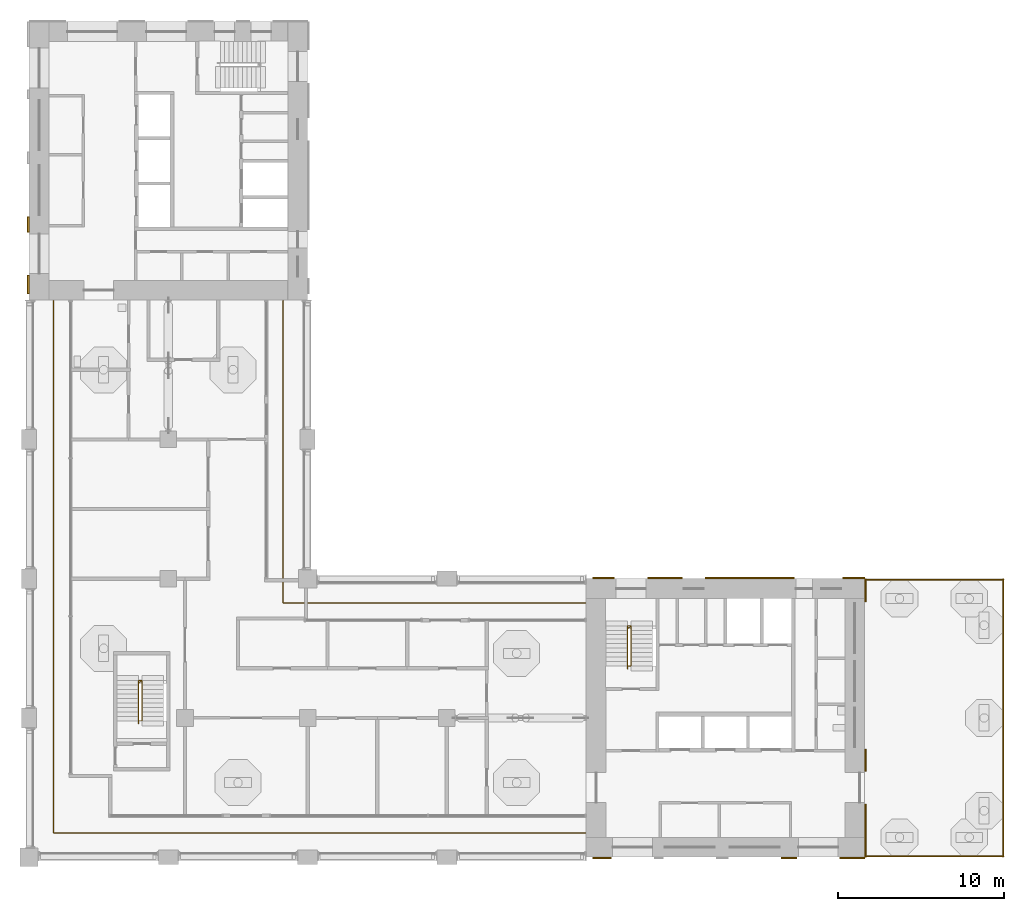
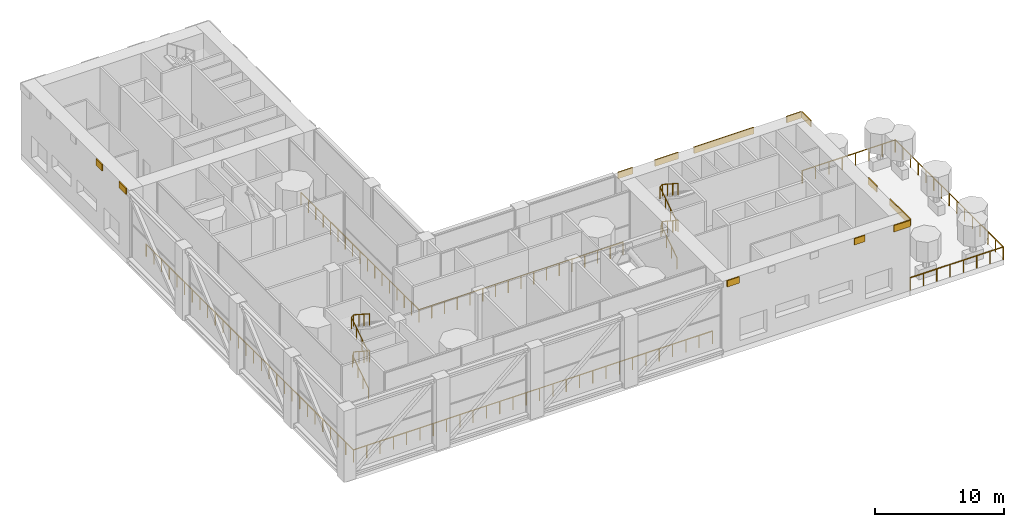
# One storey, part 16 of 20: 12 shading devices, 7 railings.
"""IFC4 building model written with IfcOpenShell, lengths in metres."""

import ifcopenshell
import ifcopenshell.guid

model = None  # the IFC model being written
_history = None  # IfcOwnerHistory: only IFC2X3 demands one
_inside = {}  # id of a spatial element -> (the spatial element, [elements in it])
_under = {}  # id of a project, library or spatial element -> (it, [spatial elements below it])
_declared = {}  # id of a project -> (the project, [libraries it declares])
_typed = {}  # id of a type object -> (the type object, [elements of that type])
_made_of = {}  # id of a material, layer set ... -> (it, [elements and type objects made of it])


def new_model(schema):
    """Start an empty IFC model of exactly this schema.

    Asked for "IFC4X3", IfcOpenShell would pick the latest addendum, in which some entities
    have other attributes; the version numbers below select the first issue.
    IFC2X3 requires an IfcOwnerHistory on every rooted entity: one is made here for all.
    """
    global model, _history
    if schema == "IFC4X3":
        model = ifcopenshell.file(schema_version=(4, 3, 0, 0))
    else:
        model = ifcopenshell.file(schema=schema)
    _inside.clear()
    _under.clear()
    _declared.clear()
    _typed.clear()
    _made_of.clear()
    _history = None
    if model.schema == "IFC2X3":
        org = make("IfcOrganization", Name="unknown")
        user = make(
            "IfcPersonAndOrganization",
            ThePerson=make("IfcPerson", FamilyName="unknown"),
            TheOrganization=org,
        )
        app = make(
            "IfcApplication",
            ApplicationDeveloper=org,
            Version="unknown",
            ApplicationFullName="unknown",
            ApplicationIdentifier="unknown",
        )
        _history = make(
            "IfcOwnerHistory",
            OwningUser=user,
            OwningApplication=app,
            ChangeAction="ADDED",
            CreationDate=0,
        )
    return model


def make(cls, **values):
    """One entity of the class cls with the attributes given. An attribute that is None is left unset."""
    return model.create_entity(
        cls, **{name: value for name, value in values.items() if value is not None}
    )


def rooted(cls, **values):
    """An entity with a GlobalId (a new one), such as an element, a storey or a relation."""
    return make(cls, GlobalId=ifcopenshell.guid.new(), OwnerHistory=_history, **values)


def si_unit(unit_type, name, prefix=None):
    """IfcSIUnit, for example si_unit("LENGTHUNIT", "METRE", prefix="MILLI")."""
    return make("IfcSIUnit", UnitType=unit_type, Prefix=prefix, Name=name)


def assignment(units):
    """IfcUnitAssignment: the units of a project."""
    return None if units is None else make("IfcUnitAssignment", Units=units)


def point(xyz):
    """IfcCartesianPoint."""
    return None if xyz is None else make("IfcCartesianPoint", Coordinates=xyz)


def direction(xyz):
    """IfcDirection."""
    return None if xyz is None else make("IfcDirection", DirectionRatios=xyz)


def frame(location, z_axis=None, x_axis=None):
    """IfcAxis2Placement3D, a coordinate frame: its origin and axes. An axis left out is left unset."""
    return make(
        "IfcAxis2Placement3D",
        Location=point(location),
        Axis=direction(z_axis),
        RefDirection=direction(x_axis),
    )


def frame_2d(location, x_axis=None):
    """IfcAxis2Placement2D, a coordinate frame in the plane: its origin and x axis."""
    return make(
        "IfcAxis2Placement2D", Location=point(location), RefDirection=direction(x_axis)
    )


def origin():
    """The frame at (0, 0, 0) with its axes left unset."""
    return frame((0.0, 0.0, 0.0))


def origin_2d():
    """The frame at (0, 0) in the plane with its x axis left unset."""
    return frame_2d((0.0, 0.0))


def place(relative_to, where):
    """IfcLocalPlacement: puts the frame where relative to a parent placement (None: the world)."""
    return make(
        "IfcLocalPlacement", PlacementRelTo=relative_to, RelativePlacement=where
    )


def context(
    kind, dimensions, precision=None, world=None, true_north=None, identifier=None
):
    """IfcGeometricRepresentationContext, for example the 3D "Model" context."""
    return make(
        "IfcGeometricRepresentationContext",
        ContextIdentifier=identifier,
        ContextType=kind,
        CoordinateSpaceDimension=dimensions,
        Precision=precision,
        WorldCoordinateSystem=world,
        TrueNorth=true_north,
    )


def subcontext(parent, identifier, kind, view, scale=None):
    """IfcGeometricRepresentationSubContext, for example "Body" below "Model"."""
    return make(
        "IfcGeometricRepresentationSubContext",
        ContextIdentifier=identifier,
        ContextType=kind,
        ParentContext=parent,
        TargetScale=scale,
        TargetView=view,
    )


def project(units=None, contexts=None):
    """IfcProject with its units and contexts."""
    return rooted(
        "IfcProject",
        Name="project",
        RepresentationContexts=contexts,
        UnitsInContext=assignment(units),
    )


def spatial(cls, under=None, at=None, **own):
    """A site, building, storey or space (cls), placed at a placement, below another one or the project."""
    s = rooted(cls, ObjectPlacement=at, **own)
    if under is not None:
        _under.setdefault(under.id(), (under, []))[1].append(s)
    return s


def profile(cls, at=None, kind="AREA", **sizes):
    """A parametric profile (cls). Its sizes go by their IFC names, for example OverallWidth=200.0."""
    return make(cls, ProfileType=kind, Position=at, **sizes)


def rectangle(**sizes):
    """IfcRectangleProfileDef."""
    return profile("IfcRectangleProfileDef", **sizes)


def circle(**sizes):
    """IfcCircleProfileDef."""
    return profile("IfcCircleProfileDef", **sizes)


def extrude(swept, where, along, depth):
    """IfcExtrudedAreaSolid: the profile swept, set in the frame where, extruded along a direction by depth."""
    return make(
        "IfcExtrudedAreaSolid",
        SweptArea=swept,
        Position=where,
        ExtrudedDirection=direction(along),
        Depth=depth,
    )


def shape(context_of_items, identifier, shape_type, items):
    """IfcShapeRepresentation: the items that make up one representation, for example the "Body"."""
    return make(
        "IfcShapeRepresentation",
        ContextOfItems=context_of_items,
        RepresentationIdentifier=identifier,
        RepresentationType=shape_type,
        Items=items,
    )


def material(Name=None, Category=None):
    """IfcMaterial."""
    return make("IfcMaterial", Name=Name, Category=Category)


def layer(
    of_material, thickness, ventilated=None, Name=None, Category=None, Priority=None
):
    """IfcMaterialLayer: one layer of a wall or slab, of a material (None: an air gap)."""
    return make(
        "IfcMaterialLayer",
        Material=of_material,
        LayerThickness=thickness,
        IsVentilated=ventilated,
        Name=Name,
        Category=Category,
        Priority=Priority,
    )


def layer_set(layers, Name=None):
    """IfcMaterialLayerSet."""
    return make("IfcMaterialLayerSet", MaterialLayers=layers, LayerSetName=Name)


def made_of(thing, what):
    """Note that an element or type object is made of a material, layer set ...; save() writes the relation."""
    if what is not None:
        _made_of.setdefault(what.id(), (what, []))[1].append(thing)
    return thing


def type_object(cls, material=None, **own):
    """A type object (cls), such as IfcWallType, which elements share."""
    return made_of(rooted(cls, **own), material)


def element(
    cls,
    number,
    at=None,
    inside=None,
    cuts=None,
    type_object=None,
    material=None,
    context=None,
    identifier="Body",
    shape_type=None,
    held_by="IfcProductDefinitionShape",
    body=None,
    shapes=None,
    **own,
):
    """One element of the class cls, such as IfcWall. Its Tag is "e" and its number.

    at: its placement. inside: the storey or other place that contains it. cuts: it is an
    opening in that element (IfcRelVoidsElement). A single representation is given by context,
    identifier, shape_type and body (its items); several are given by shapes. held_by: the class
    of the entity that holds the representations. save() writes the other relations.
    """
    e = rooted(cls, Tag="e%d" % number, ObjectPlacement=at, **own)
    if body is not None:
        shapes = [shape(context, identifier, shape_type, body)]
    if shapes is not None:
        e.Representation = make(held_by, Representations=shapes)
    if inside is not None:
        _inside.setdefault(inside.id(), (inside, []))[1].append(e)
    if cuts is not None:
        rooted(
            "IfcRelVoidsElement", RelatingBuildingElement=cuts, RelatedOpeningElement=e
        )
    if type_object is not None:
        _typed.setdefault(type_object.id(), (type_object, []))[1].append(e)
    return made_of(e, material)


def aggregate(whole, parts):
    """IfcRelAggregates: a whole, such as a stair, and the parts it consists of."""
    return rooted("IfcRelAggregates", RelatingObject=whole, RelatedObjects=parts)


def save(model, path):
    """Write the relations noted so far, then the file.

    IfcRelAggregates (storeys below a building ...), IfcRelContainedInSpatialStructure (elements
    in a storey), IfcRelDefinesByType, IfcRelAssociatesMaterial and IfcRelDeclares: one each for
    every whole, place, type object, material and project.
    """
    for whole, parts in _under.values():
        aggregate(whole, parts)
    for where, things in _inside.values():
        rooted(
            "IfcRelContainedInSpatialStructure",
            RelatedElements=things,
            RelatingStructure=where,
        )
    for kind, things in _typed.values():
        rooted("IfcRelDefinesByType", RelatedObjects=things, RelatingType=kind)
    for what, things in _made_of.values():
        rooted("IfcRelAssociatesMaterial", RelatedObjects=things, RelatingMaterial=what)
    for by, libraries in _declared.values():
        rooted("IfcRelDeclares", RelatingContext=by, RelatedDefinitions=libraries)
    model.write(path)


model = new_model("IFC4")

# Units and contexts
model_context = context("Model", 3, precision=1e-05, world=origin(), true_north=direction((0.0, 1.0)))
body_context = subcontext(model_context, "Body", "Model", "MODEL_VIEW")
ifc_project = project(units=[si_unit("LENGTHUNIT", "METRE"), si_unit("AREAUNIT", "SQUARE_METRE"), si_unit("VOLUMEUNIT", "CUBIC_METRE"), si_unit("PLANEANGLEUNIT", "RADIAN"), si_unit("MASSUNIT", "GRAM", prefix="KILO")], contexts=[model_context])

# Site, building, storey
site_placement = place(None, origin())
site = spatial("IfcSite", under=ifc_project, at=site_placement, CompositionType="ELEMENT")
building_placement = place(site_placement, origin())
building = spatial("IfcBuilding", under=site, at=building_placement, Name="Vermilion Gate Residences", CompositionType="ELEMENT")
storey_placement = place(building_placement, frame((0.0, 0.0, 207.199951171875)))
storey = spatial("IfcBuildingStorey", under=building, at=storey_placement, Name="L54", CompositionType="ELEMENT", Elevation=207.199951171875)

# Railings
ifc_material_1 = material(Name="Stainless steel and toughened glass", Category="steel")
railing_type_1 = type_object("IfcRailingType", Name="LOGGIA GUARD STEEL AND GLASS 1200", PredefinedType="GUARDRAIL", material=ifc_material_1)
railing_1_placement = place(storey_placement, frame((41.97802734375, 23.72509765625, 0.0)))
element("IfcRailing", 1, at=railing_1_placement, inside=storey, type_object=railing_type_1, Name="Loggia guard", PredefinedType="GUARDRAIL", context=body_context, shape_type="SweptSolid", body=[
    extrude(circle(Radius=0.030029296875, at=origin_2d()), frame((0.0, 0.0, 1.169921875), z_axis=(-1.0, 0.0, 0.0), x_axis=(0.0, -1.0, 0.0)), (0.0, 0.0, 1.0), 18.2529296875),
    extrude(circle(Radius=0.030029296875, at=origin_2d()), frame((-18.2529296875, 0.0, 1.169921875), z_axis=(0.0, 1.0, 0.0), x_axis=(-1.0, 0.0, 0.0)), (0.0, 0.0, 1.0), 18.2529296875),
    extrude(circle(Radius=0.02490234375, at=origin_2d()), origin(), (0.0, 0.0, 1.0), 1.139892578125),
    extrude(circle(Radius=0.02490234375, at=origin_2d()), frame((-1.140869140625, 0.0, 0.0)), (0.0, 0.0, 1.0), 1.139892578125),
    extrude(circle(Radius=0.02490234375, at=origin_2d()), frame((-2.28173828125, 0.0, 0.0)), (0.0, 0.0, 1.0), 1.139892578125),
    extrude(circle(Radius=0.02490234375, at=origin_2d()), frame((-3.42236328125, 0.0, 0.0)), (0.0, 0.0, 1.0), 1.139892578125),
    extrude(circle(Radius=0.02490234375, at=origin_2d()), frame((-4.563232421875, 0.0, 0.0)), (0.0, 0.0, 1.0), 1.139892578125),
    extrude(circle(Radius=0.02490234375, at=origin_2d()), frame((-5.7041015625, 0.0, 0.0)), (0.0, 0.0, 1.0), 1.139892578125),
    extrude(circle(Radius=0.02490234375, at=origin_2d()), frame((-6.8447265625, 0.0, 0.0)), (0.0, 0.0, 1.0), 1.139892578125),
    extrude(circle(Radius=0.02490234375, at=origin_2d()), frame((-7.985595703125, 0.0, 0.0)), (0.0, 0.0, 1.0), 1.139892578125),
    extrude(circle(Radius=0.02490234375, at=origin_2d()), frame((-9.12646484375, 0.0, 0.0)), (0.0, 0.0, 1.0), 1.139892578125),
    extrude(circle(Radius=0.02490234375, at=origin_2d()), frame((-10.267333984375, 0.0, 0.0)), (0.0, 0.0, 1.0), 1.139892578125),
    extrude(circle(Radius=0.02490234375, at=origin_2d()), frame((-11.408203125, 0.0, 0.0)), (0.0, 0.0, 1.0), 1.139892578125),
    extrude(circle(Radius=0.02490234375, at=origin_2d()), frame((-12.548828125, 0.0, 0.0)), (0.0, 0.0, 1.0), 1.139892578125),
    extrude(circle(Radius=0.02490234375, at=origin_2d()), frame((-13.689697265625, 0.0, 0.0)), (0.0, 0.0, 1.0), 1.139892578125),
    extrude(circle(Radius=0.02490234375, at=origin_2d()), frame((-14.83056640625, 0.0, 0.0)), (0.0, 0.0, 1.0), 1.139892578125),
    extrude(circle(Radius=0.02490234375, at=origin_2d()), frame((-15.97119140625, 0.0, 0.0)), (0.0, 0.0, 1.0), 1.139892578125),
    extrude(circle(Radius=0.02490234375, at=origin_2d()), frame((-17.112060546875, 0.0, 0.0)), (0.0, 0.0, 1.0), 1.139892578125),
    extrude(circle(Radius=0.02490234375, at=origin_2d()), frame((-18.2529296875, 0.0, 0.0)), (0.0, 0.0, 1.0), 1.139892578125),
    extrude(circle(Radius=0.02490234375, at=origin_2d()), frame((-18.2529296875, 1.140869140625, 0.0)), (0.0, 0.0, 1.0), 1.139892578125),
    extrude(circle(Radius=0.02490234375, at=origin_2d()), frame((-18.2529296875, 2.28173828125, 0.0)), (0.0, 0.0, 1.0), 1.139892578125),
    extrude(circle(Radius=0.02490234375, at=origin_2d()), frame((-18.2529296875, 3.42236328125, 0.0)), (0.0, 0.0, 1.0), 1.139892578125),
    extrude(circle(Radius=0.02490234375, at=origin_2d()), frame((-18.2529296875, 4.563232421875, 0.0)), (0.0, 0.0, 1.0), 1.139892578125),
    extrude(circle(Radius=0.02490234375, at=origin_2d()), frame((-18.2529296875, 5.7041015625, 0.0)), (0.0, 0.0, 1.0), 1.139892578125),
    extrude(circle(Radius=0.02490234375, at=origin_2d()), frame((-18.2529296875, 6.8447265625, 0.0)), (0.0, 0.0, 1.0), 1.139892578125),
    extrude(circle(Radius=0.02490234375, at=origin_2d()), frame((-18.2529296875, 7.985595703125, 0.0)), (0.0, 0.0, 1.0), 1.139892578125),
    extrude(circle(Radius=0.02490234375, at=origin_2d()), frame((-18.2529296875, 9.12646484375, 0.0)), (0.0, 0.0, 1.0), 1.139892578125),
    extrude(circle(Radius=0.02490234375, at=origin_2d()), frame((-18.2529296875, 10.267333984375, 0.0)), (0.0, 0.0, 1.0), 1.139892578125),
    extrude(circle(Radius=0.02490234375, at=origin_2d()), frame((-18.2529296875, 11.408203125, 0.0)), (0.0, 0.0, 1.0), 1.139892578125),
    extrude(circle(Radius=0.02490234375, at=origin_2d()), frame((-18.2529296875, 12.548828125, 0.0)), (0.0, 0.0, 1.0), 1.139892578125),
    extrude(circle(Radius=0.02490234375, at=origin_2d()), frame((-18.2529296875, 13.689697265625, 0.0)), (0.0, 0.0, 1.0), 1.139892578125),
    extrude(circle(Radius=0.02490234375, at=origin_2d()), frame((-18.2529296875, 14.83056640625, 0.0)), (0.0, 0.0, 1.0), 1.139892578125),
    extrude(circle(Radius=0.02490234375, at=origin_2d()), frame((-18.2529296875, 15.97119140625, 0.0)), (0.0, 0.0, 1.0), 1.139892578125),
    extrude(circle(Radius=0.02490234375, at=origin_2d()), frame((-18.2529296875, 17.112060546875, 0.0)), (0.0, 0.0, 1.0), 1.139892578125),
    extrude(circle(Radius=0.02490234375, at=origin_2d()), frame((-18.2529296875, 18.2529296875, 0.0)), (0.0, 0.0, 1.0), 1.139892578125),
])
railing_2_placement = place(storey_placement, frame((9.875, 41.97802734375, 0.0)))
element("IfcRailing", 2, at=railing_2_placement, inside=storey, type_object=railing_type_1, Name="Loggia guard", PredefinedType="GUARDRAIL", context=body_context, shape_type="SweptSolid", body=[
    extrude(circle(Radius=0.030029296875, at=origin_2d()), frame((0.0, 0.0, 1.169921875), z_axis=(0.0, -1.0, 0.0), x_axis=(1.0, 0.0, 0.0)), (0.0, 0.0, 1.0), 32.10302734375),
    extrude(circle(Radius=0.030029296875, at=origin_2d()), frame((0.0, -32.10302734375, 1.169921875), z_axis=(1.0, 0.0, 0.0), x_axis=(0.0, 1.0, 0.0)), (0.0, 0.0, 1.0), 32.10302734375),
    extrude(circle(Radius=0.02490234375, at=origin_2d()), origin(), (0.0, 0.0, 1.0), 1.139892578125),
    extrude(circle(Radius=0.02490234375, at=origin_2d()), frame((0.0, -1.18896484375, 0.0)), (0.0, 0.0, 1.0), 1.139892578125),
    extrude(circle(Radius=0.02490234375, at=origin_2d()), frame((0.0, -2.3779296875, 0.0)), (0.0, 0.0, 1.0), 1.139892578125),
    extrude(circle(Radius=0.02490234375, at=origin_2d()), frame((0.0, -3.56689453125, 0.0)), (0.0, 0.0, 1.0), 1.139892578125),
    extrude(circle(Radius=0.02490234375, at=origin_2d()), frame((0.0, -4.756103515625, 0.0)), (0.0, 0.0, 1.0), 1.139892578125),
    extrude(circle(Radius=0.02490234375, at=origin_2d()), frame((0.0, -5.945068359375, 0.0)), (0.0, 0.0, 1.0), 1.139892578125),
    extrude(circle(Radius=0.02490234375, at=origin_2d()), frame((0.0, -7.134033203125, 0.0)), (0.0, 0.0, 1.0), 1.139892578125),
    extrude(circle(Radius=0.02490234375, at=origin_2d()), frame((0.0, -8.322998046875, 0.0)), (0.0, 0.0, 1.0), 1.139892578125),
    extrude(circle(Radius=0.02490234375, at=origin_2d()), frame((0.0, -9.511962890625, 0.0)), (0.0, 0.0, 1.0), 1.139892578125),
    extrude(circle(Radius=0.02490234375, at=origin_2d()), frame((0.0, -10.700927734375, 0.0)), (0.0, 0.0, 1.0), 1.139892578125),
    extrude(circle(Radius=0.02490234375, at=origin_2d()), frame((0.0, -11.889892578125, 0.0)), (0.0, 0.0, 1.0), 1.139892578125),
    extrude(circle(Radius=0.02490234375, at=origin_2d()), frame((0.0, -13.0791015625, 0.0)), (0.0, 0.0, 1.0), 1.139892578125),
    extrude(circle(Radius=0.02490234375, at=origin_2d()), frame((0.0, -14.26806640625, 0.0)), (0.0, 0.0, 1.0), 1.139892578125),
    extrude(circle(Radius=0.02490234375, at=origin_2d()), frame((0.0, -15.45703125, 0.0)), (0.0, 0.0, 1.0), 1.139892578125),
    extrude(circle(Radius=0.02490234375, at=origin_2d()), frame((0.0, -16.64599609375, 0.0)), (0.0, 0.0, 1.0), 1.139892578125),
    extrude(circle(Radius=0.02490234375, at=origin_2d()), frame((0.0, -17.8349609375, 0.0)), (0.0, 0.0, 1.0), 1.139892578125),
    extrude(circle(Radius=0.02490234375, at=origin_2d()), frame((0.0, -19.02392578125, 0.0)), (0.0, 0.0, 1.0), 1.139892578125),
    extrude(circle(Radius=0.02490234375, at=origin_2d()), frame((0.0, -20.213134765625, 0.0)), (0.0, 0.0, 1.0), 1.139892578125),
    extrude(circle(Radius=0.02490234375, at=origin_2d()), frame((0.0, -21.402099609375, 0.0)), (0.0, 0.0, 1.0), 1.139892578125),
    extrude(circle(Radius=0.02490234375, at=origin_2d()), frame((0.0, -22.591064453125, 0.0)), (0.0, 0.0, 1.0), 1.139892578125),
    extrude(circle(Radius=0.02490234375, at=origin_2d()), frame((0.0, -23.780029296875, 0.0)), (0.0, 0.0, 1.0), 1.139892578125),
    extrude(circle(Radius=0.02490234375, at=origin_2d()), frame((0.0, -24.968994140625, 0.0)), (0.0, 0.0, 1.0), 1.139892578125),
    extrude(circle(Radius=0.02490234375, at=origin_2d()), frame((0.0, -26.157958984375, 0.0)), (0.0, 0.0, 1.0), 1.139892578125),
    extrude(circle(Radius=0.02490234375, at=origin_2d()), frame((0.0, -27.346923828125, 0.0)), (0.0, 0.0, 1.0), 1.139892578125),
    extrude(circle(Radius=0.02490234375, at=origin_2d()), frame((0.0, -28.5361328125, 0.0)), (0.0, 0.0, 1.0), 1.139892578125),
    extrude(circle(Radius=0.02490234375, at=origin_2d()), frame((0.0, -29.72509765625, 0.0)), (0.0, 0.0, 1.0), 1.139892578125),
    extrude(circle(Radius=0.02490234375, at=origin_2d()), frame((0.0, -30.9140625, 0.0)), (0.0, 0.0, 1.0), 1.139892578125),
    extrude(circle(Radius=0.02490234375, at=origin_2d()), frame((0.0, -32.10302734375, 0.0)), (0.0, 0.0, 1.0), 1.139892578125),
    extrude(circle(Radius=0.02490234375, at=origin_2d()), frame((1.18896484375, -32.10302734375, 0.0)), (0.0, 0.0, 1.0), 1.139892578125),
    extrude(circle(Radius=0.02490234375, at=origin_2d()), frame((2.3779296875, -32.10302734375, 0.0)), (0.0, 0.0, 1.0), 1.139892578125),
    extrude(circle(Radius=0.02490234375, at=origin_2d()), frame((3.56689453125, -32.10302734375, 0.0)), (0.0, 0.0, 1.0), 1.139892578125),
    extrude(circle(Radius=0.02490234375, at=origin_2d()), frame((4.756103515625, -32.10302734375, 0.0)), (0.0, 0.0, 1.0), 1.139892578125),
    extrude(circle(Radius=0.02490234375, at=origin_2d()), frame((5.945068359375, -32.10302734375, 0.0)), (0.0, 0.0, 1.0), 1.139892578125),
    extrude(circle(Radius=0.02490234375, at=origin_2d()), frame((7.134033203125, -32.10302734375, 0.0)), (0.0, 0.0, 1.0), 1.139892578125),
    extrude(circle(Radius=0.02490234375, at=origin_2d()), frame((8.322998046875, -32.10302734375, 0.0)), (0.0, 0.0, 1.0), 1.139892578125),
    extrude(circle(Radius=0.02490234375, at=origin_2d()), frame((9.511962890625, -32.10302734375, 0.0)), (0.0, 0.0, 1.0), 1.139892578125),
    extrude(circle(Radius=0.02490234375, at=origin_2d()), frame((10.700927734375, -32.10302734375, 0.0)), (0.0, 0.0, 1.0), 1.139892578125),
    extrude(circle(Radius=0.02490234375, at=origin_2d()), frame((11.889892578125, -32.10302734375, 0.0)), (0.0, 0.0, 1.0), 1.139892578125),
    extrude(circle(Radius=0.02490234375, at=origin_2d()), frame((13.0791015625, -32.10302734375, 0.0)), (0.0, 0.0, 1.0), 1.139892578125),
    extrude(circle(Radius=0.02490234375, at=origin_2d()), frame((14.26806640625, -32.10302734375, 0.0)), (0.0, 0.0, 1.0), 1.139892578125),
    extrude(circle(Radius=0.02490234375, at=origin_2d()), frame((15.45703125, -32.10302734375, 0.0)), (0.0, 0.0, 1.0), 1.139892578125),
    extrude(circle(Radius=0.02490234375, at=origin_2d()), frame((16.64599609375, -32.10302734375, 0.0)), (0.0, 0.0, 1.0), 1.139892578125),
    extrude(circle(Radius=0.02490234375, at=origin_2d()), frame((17.8349609375, -32.10302734375, 0.0)), (0.0, 0.0, 1.0), 1.139892578125),
    extrude(circle(Radius=0.02490234375, at=origin_2d()), frame((19.02392578125, -32.10302734375, 0.0)), (0.0, 0.0, 1.0), 1.139892578125),
    extrude(circle(Radius=0.02490234375, at=origin_2d()), frame((20.213134765625, -32.10302734375, 0.0)), (0.0, 0.0, 1.0), 1.139892578125),
    extrude(circle(Radius=0.02490234375, at=origin_2d()), frame((21.402099609375, -32.10302734375, 0.0)), (0.0, 0.0, 1.0), 1.139892578125),
    extrude(circle(Radius=0.02490234375, at=origin_2d()), frame((22.591064453125, -32.10302734375, 0.0)), (0.0, 0.0, 1.0), 1.139892578125),
    extrude(circle(Radius=0.02490234375, at=origin_2d()), frame((23.780029296875, -32.10302734375, 0.0)), (0.0, 0.0, 1.0), 1.139892578125),
    extrude(circle(Radius=0.02490234375, at=origin_2d()), frame((24.968994140625, -32.10302734375, 0.0)), (0.0, 0.0, 1.0), 1.139892578125),
    extrude(circle(Radius=0.02490234375, at=origin_2d()), frame((26.157958984375, -32.10302734375, 0.0)), (0.0, 0.0, 1.0), 1.139892578125),
    extrude(circle(Radius=0.02490234375, at=origin_2d()), frame((27.346923828125, -32.10302734375, 0.0)), (0.0, 0.0, 1.0), 1.139892578125),
    extrude(circle(Radius=0.02490234375, at=origin_2d()), frame((28.5361328125, -32.10302734375, 0.0)), (0.0, 0.0, 1.0), 1.139892578125),
    extrude(circle(Radius=0.02490234375, at=origin_2d()), frame((29.72509765625, -32.10302734375, 0.0)), (0.0, 0.0, 1.0), 1.139892578125),
    extrude(circle(Radius=0.02490234375, at=origin_2d()), frame((30.9140625, -32.10302734375, 0.0)), (0.0, 0.0, 1.0), 1.139892578125),
    extrude(circle(Radius=0.02490234375, at=origin_2d()), frame((32.10302734375, -32.10302734375, 0.0)), (0.0, 0.0, 1.0), 1.139892578125),
])
railing_3_placement = place(storey_placement, frame((67.177978515625, 25.14990234375, 0.0)))
element("IfcRailing", 3, at=railing_3_placement, inside=storey, type_object=railing_type_1, Name="Loggia guard", PredefinedType="GUARDRAIL", context=body_context, shape_type="SweptSolid", body=[
    extrude(circle(Radius=0.030029296875, at=origin_2d()), frame((0.0, 0.0, 1.169921875), z_axis=(-1.0, 0.0, 0.0), x_axis=(0.0, -1.0, 0.0)), (0.0, 0.0, 1.0), 8.35595703125),
    extrude(circle(Radius=0.02490234375, at=origin_2d()), origin(), (0.0, 0.0, 1.0), 1.139892578125),
    extrude(circle(Radius=0.02490234375, at=origin_2d()), frame((-1.193603515625, 0.0, 0.0)), (0.0, 0.0, 1.0), 1.139892578125),
    extrude(circle(Radius=0.02490234375, at=origin_2d()), frame((-2.387451171875, 0.0, 0.0)), (0.0, 0.0, 1.0), 1.139892578125),
    extrude(circle(Radius=0.02490234375, at=origin_2d()), frame((-3.5810546875, 0.0, 0.0)), (0.0, 0.0, 1.0), 1.139892578125),
    extrude(circle(Radius=0.02490234375, at=origin_2d()), frame((-4.77490234375, 0.0, 0.0)), (0.0, 0.0, 1.0), 1.139892578125),
    extrude(circle(Radius=0.02490234375, at=origin_2d()), frame((-5.968505859375, 0.0, 0.0)), (0.0, 0.0, 1.0), 1.139892578125),
    extrude(circle(Radius=0.02490234375, at=origin_2d()), frame((-7.162353515625, 0.0, 0.0)), (0.0, 0.0, 1.0), 1.139892578125),
    extrude(circle(Radius=0.02490234375, at=origin_2d()), frame((-8.35595703125, 0.0, 0.0)), (0.0, 0.0, 1.0), 1.139892578125),
])
railing_4_placement = place(storey_placement, frame((58.822021484375, 8.449951171875, 0.0)))
element("IfcRailing", 4, at=railing_4_placement, inside=storey, type_object=railing_type_1, Name="Loggia guard", PredefinedType="GUARDRAIL", context=body_context, shape_type="SweptSolid", body=[
    extrude(circle(Radius=0.030029296875, at=origin_2d()), frame((0.0, 0.0, 1.169921875), z_axis=(1.0, 0.0, 0.0), x_axis=(0.0, 1.0, 0.0)), (0.0, 0.0, 1.0), 8.35595703125),
    extrude(circle(Radius=0.02490234375, at=origin_2d()), origin(), (0.0, 0.0, 1.0), 1.139892578125),
    extrude(circle(Radius=0.02490234375, at=origin_2d()), frame((1.193603515625, 0.0, 0.0)), (0.0, 0.0, 1.0), 1.139892578125),
    extrude(circle(Radius=0.02490234375, at=origin_2d()), frame((2.387451171875, 0.0, 0.0)), (0.0, 0.0, 1.0), 1.139892578125),
    extrude(circle(Radius=0.02490234375, at=origin_2d()), frame((3.5810546875, 0.0, 0.0)), (0.0, 0.0, 1.0), 1.139892578125),
    extrude(circle(Radius=0.02490234375, at=origin_2d()), frame((4.77490234375, 0.0, 0.0)), (0.0, 0.0, 1.0), 1.139892578125),
    extrude(circle(Radius=0.02490234375, at=origin_2d()), frame((5.968505859375, 0.0, 0.0)), (0.0, 0.0, 1.0), 1.139892578125),
    extrude(circle(Radius=0.02490234375, at=origin_2d()), frame((7.162353515625, 0.0, 0.0)), (0.0, 0.0, 1.0), 1.139892578125),
    extrude(circle(Radius=0.02490234375, at=origin_2d()), frame((8.35595703125, 0.0, 0.0)), (0.0, 0.0, 1.0), 1.139892578125),
])
railing_5_placement = place(storey_placement, frame((67.14990234375, 8.422119140625, 0.0)))
element("IfcRailing", 5, at=railing_5_placement, inside=storey, type_object=railing_type_1, Name="Loggia guard", PredefinedType="GUARDRAIL", context=body_context, shape_type="SweptSolid", body=[
    extrude(circle(Radius=0.030029296875, at=origin_2d()), frame((0.0, 0.0, 1.169921875), z_axis=(0.0, 1.0, 0.0), x_axis=(-1.0, 0.0, 0.0)), (0.0, 0.0, 1.0), 16.755859375),
    extrude(circle(Radius=0.02490234375, at=origin_2d()), origin(), (0.0, 0.0, 1.0), 1.139892578125),
    extrude(circle(Radius=0.02490234375, at=origin_2d()), frame((0.0, 1.19677734375, 0.0)), (0.0, 0.0, 1.0), 1.139892578125),
    extrude(circle(Radius=0.02490234375, at=origin_2d()), frame((0.0, 2.393798828125, 0.0)), (0.0, 0.0, 1.0), 1.139892578125),
    extrude(circle(Radius=0.02490234375, at=origin_2d()), frame((0.0, 3.590576171875, 0.0)), (0.0, 0.0, 1.0), 1.139892578125),
    extrude(circle(Radius=0.02490234375, at=origin_2d()), frame((0.0, 4.787353515625, 0.0)), (0.0, 0.0, 1.0), 1.139892578125),
    extrude(circle(Radius=0.02490234375, at=origin_2d()), frame((0.0, 5.984130859375, 0.0)), (0.0, 0.0, 1.0), 1.139892578125),
    extrude(circle(Radius=0.02490234375, at=origin_2d()), frame((0.0, 7.18115234375, 0.0)), (0.0, 0.0, 1.0), 1.139892578125),
    extrude(circle(Radius=0.02490234375, at=origin_2d()), frame((0.0, 8.3779296875, 0.0)), (0.0, 0.0, 1.0), 1.139892578125),
    extrude(circle(Radius=0.02490234375, at=origin_2d()), frame((0.0, 9.57470703125, 0.0)), (0.0, 0.0, 1.0), 1.139892578125),
    extrude(circle(Radius=0.02490234375, at=origin_2d()), frame((0.0, 10.771728515625, 0.0)), (0.0, 0.0, 1.0), 1.139892578125),
    extrude(circle(Radius=0.02490234375, at=origin_2d()), frame((0.0, 11.968505859375, 0.0)), (0.0, 0.0, 1.0), 1.139892578125),
    extrude(circle(Radius=0.02490234375, at=origin_2d()), frame((0.0, 13.165283203125, 0.0)), (0.0, 0.0, 1.0), 1.139892578125),
    extrude(circle(Radius=0.02490234375, at=origin_2d()), frame((0.0, 14.362060546875, 0.0)), (0.0, 0.0, 1.0), 1.139892578125),
    extrude(circle(Radius=0.02490234375, at=origin_2d()), frame((0.0, 15.55908203125, 0.0)), (0.0, 0.0, 1.0), 1.139892578125),
    extrude(circle(Radius=0.02490234375, at=origin_2d()), frame((0.0, 16.755859375, 0.0)), (0.0, 0.0, 1.0), 1.139892578125),
])
ifc_material_2 = material(Name="Steel S355", Category="steel")
railing_type_2 = type_object("IfcRailingType", Name="STAIR GUARD 1100 STEEL", PredefinedType="GUARDRAIL", material=ifc_material_2)
railing_6_placement = place(storey_placement, frame((44.5, 19.75, 0.175048828125)))
element("IfcRailing", 6, at=railing_6_placement, inside=storey, type_object=railing_type_2, Name="Stair well guard STA1-54", PredefinedType="GUARDRAIL", context=body_context, shape_type="SweptSolid", body=[
    extrude(circle(Radius=0.02392578125, at=origin_2d()), frame((0.0, 0.0, 1.076171875), z_axis=(0.0, 0.839153699163, 0.543894354798), x_axis=(-1.0, 0.0, 0.0)), (0.0, 0.0, 1.0), 2.895751953125),
    extrude(circle(Radius=0.02392578125, at=origin_2d()), frame((0.0, 2.429931640625, 2.65087890625), z_axis=(0.622765251099, 0.561173083408, 0.545204743636), x_axis=(-0.669415636384, 0.74288808428, 0.0)), (0.0, 0.0, 1.0), 0.321044921875),
    extrude(circle(Radius=0.02392578125, at=origin_2d()), frame((0.199951171875, 2.610107421875, 2.826171875), z_axis=(0.0, -0.839178637674, 0.543855876194), x_axis=(1.0, 0.0, 0.0)), (0.0, 0.0, 1.0), 2.89599609375),
    extrude(circle(Radius=0.02392578125, at=origin_2d()), frame((0.199951171875, 0.179931640625, 4.40087890625), z_axis=(-0.752405939678, 0.0, 0.658699705433), x_axis=(0.0, -1.0, 0.0)), (0.0, 0.0, 1.0), 0.265869140625),
    extrude(circle(Radius=0.02392578125, at=origin_2d()), frame((0.0, 0.179931640625, 4.576171875), z_axis=(0.0, 0.839178637674, 0.543855876194), x_axis=(-1.0, 0.0, 0.0)), (0.0, 0.0, 1.0), 2.89599609375),
    extrude(circle(Radius=0.02392578125, at=origin_2d()), frame((0.0, 2.610107421875, 6.15087890625), z_axis=(0.752405939678, 0.0, 0.658699705433), x_axis=(0.0, 1.0, 0.0)), (0.0, 0.0, 1.0), 0.265869140625),
    extrude(circle(Radius=0.02392578125, at=origin_2d()), frame((0.199951171875, 2.610107421875, 6.326171875), z_axis=(0.0, -0.839178637674, 0.543855876194), x_axis=(1.0, 0.0, 0.0)), (0.0, 0.0, 1.0), 2.89599609375),
    extrude(circle(Radius=0.02099609375, at=origin_2d()), origin(), (0.0, 0.0, 1.0), 1.052001953125),
    extrude(circle(Radius=0.02099609375, at=origin_2d()), frame((0.0, 0.81005859375, 0.52490234375)), (0.0, 0.0, 1.0), 1.052001953125),
    extrude(circle(Radius=0.02099609375, at=origin_2d()), frame((0.0, 1.619873046875, 1.050048828125)), (0.0, 0.0, 1.0), 1.052001953125),
    extrude(circle(Radius=0.02099609375, at=origin_2d()), frame((0.0, 2.429931640625, 1.574951171875)), (0.0, 0.0, 1.0), 1.052001953125),
    extrude(circle(Radius=0.02099609375, at=origin_2d()), frame((0.199951171875, 2.610107421875, 1.75)), (0.0, 0.0, 1.0), 1.052001953125),
    extrude(circle(Radius=0.02099609375, at=origin_2d()), frame((0.199951171875, 1.800048828125, 2.27490234375)), (0.0, 0.0, 1.0), 1.052001953125),
    extrude(circle(Radius=0.02099609375, at=origin_2d()), frame((0.199951171875, 0.989990234375, 2.800048828125)), (0.0, 0.0, 1.0), 1.052001953125),
    extrude(circle(Radius=0.02099609375, at=origin_2d()), frame((0.199951171875, 0.179931640625, 3.324951171875)), (0.0, 0.0, 1.0), 1.052001953125),
    extrude(circle(Radius=0.02099609375, at=origin_2d()), frame((0.0, 0.179931640625, 3.5)), (0.0, 0.0, 1.0), 1.052001953125),
    extrude(circle(Radius=0.02099609375, at=origin_2d()), frame((0.0, 0.989990234375, 4.02490234375)), (0.0, 0.0, 1.0), 1.052001953125),
    extrude(circle(Radius=0.02099609375, at=origin_2d()), frame((0.0, 1.800048828125, 4.550048828125)), (0.0, 0.0, 1.0), 1.052001953125),
    extrude(circle(Radius=0.02099609375, at=origin_2d()), frame((0.0, 2.610107421875, 5.074951171875)), (0.0, 0.0, 1.0), 1.052001953125),
    extrude(circle(Radius=0.02099609375, at=origin_2d()), frame((0.199951171875, 2.610107421875, 5.25)), (0.0, 0.0, 1.0), 1.052001953125),
    extrude(circle(Radius=0.02099609375, at=origin_2d()), frame((0.199951171875, 1.800048828125, 5.77490234375)), (0.0, 0.0, 1.0), 1.052001953125),
    extrude(circle(Radius=0.02099609375, at=origin_2d()), frame((0.199951171875, 0.989990234375, 6.300048828125)), (0.0, 0.0, 1.0), 1.052001953125),
    extrude(circle(Radius=0.02099609375, at=origin_2d()), frame((0.199951171875, 0.179931640625, 6.824951171875)), (0.0, 0.0, 1.0), 1.052001953125),
])
railing_7_placement = place(storey_placement, frame((15.0, 16.449951171875, 0.175048828125)))
element("IfcRailing", 7, at=railing_7_placement, inside=storey, type_object=railing_type_2, Name="Stair well guard STC1-54", PredefinedType="GUARDRAIL", context=body_context, shape_type="SweptSolid", body=[
    extrude(circle(Radius=0.02392578125, at=origin_2d()), frame((0.0, 0.0, 1.076171875), z_axis=(0.0, 0.839153699163, 0.543894354798), x_axis=(-1.0, 0.0, 0.0)), (0.0, 0.0, 1.0), 2.895751953125),
    extrude(circle(Radius=0.02392578125, at=origin_2d()), frame((0.0, 2.429931640625, 2.65087890625), z_axis=(0.622765251099, 0.561173083408, 0.545204743636), x_axis=(-0.669415636384, 0.74288808428, 0.0)), (0.0, 0.0, 1.0), 0.321044921875),
    extrude(circle(Radius=0.02392578125, at=origin_2d()), frame((0.199951171875, 2.610107421875, 2.826171875), z_axis=(0.0, -0.839178637674, 0.543855876194), x_axis=(1.0, 0.0, 0.0)), (0.0, 0.0, 1.0), 2.89599609375),
    extrude(circle(Radius=0.02392578125, at=origin_2d()), frame((0.199951171875, 0.179931640625, 4.40087890625), z_axis=(-0.752405939678, 0.0, 0.658699705433), x_axis=(0.0, -1.0, 0.0)), (0.0, 0.0, 1.0), 0.265869140625),
    extrude(circle(Radius=0.02392578125, at=origin_2d()), frame((0.0, 0.179931640625, 4.576171875), z_axis=(0.0, 0.839178637674, 0.543855876194), x_axis=(-1.0, 0.0, 0.0)), (0.0, 0.0, 1.0), 2.89599609375),
    extrude(circle(Radius=0.02392578125, at=origin_2d()), frame((0.0, 2.610107421875, 6.15087890625), z_axis=(0.752405939678, 0.0, 0.658699705433), x_axis=(0.0, 1.0, 0.0)), (0.0, 0.0, 1.0), 0.265869140625),
    extrude(circle(Radius=0.02392578125, at=origin_2d()), frame((0.199951171875, 2.610107421875, 6.326171875), z_axis=(0.0, -0.839178637674, 0.543855876194), x_axis=(1.0, 0.0, 0.0)), (0.0, 0.0, 1.0), 2.89599609375),
    extrude(circle(Radius=0.02099609375, at=origin_2d()), origin(), (0.0, 0.0, 1.0), 1.052001953125),
    extrude(circle(Radius=0.02099609375, at=origin_2d()), frame((0.0, 0.81005859375, 0.52490234375)), (0.0, 0.0, 1.0), 1.052001953125),
    extrude(circle(Radius=0.02099609375, at=origin_2d()), frame((0.0, 1.619873046875, 1.050048828125)), (0.0, 0.0, 1.0), 1.052001953125),
    extrude(circle(Radius=0.02099609375, at=origin_2d()), frame((0.0, 2.429931640625, 1.574951171875)), (0.0, 0.0, 1.0), 1.052001953125),
    extrude(circle(Radius=0.02099609375, at=origin_2d()), frame((0.199951171875, 2.610107421875, 1.75)), (0.0, 0.0, 1.0), 1.052001953125),
    extrude(circle(Radius=0.02099609375, at=origin_2d()), frame((0.199951171875, 1.800048828125, 2.27490234375)), (0.0, 0.0, 1.0), 1.052001953125),
    extrude(circle(Radius=0.02099609375, at=origin_2d()), frame((0.199951171875, 0.989990234375, 2.800048828125)), (0.0, 0.0, 1.0), 1.052001953125),
    extrude(circle(Radius=0.02099609375, at=origin_2d()), frame((0.199951171875, 0.179931640625, 3.324951171875)), (0.0, 0.0, 1.0), 1.052001953125),
    extrude(circle(Radius=0.02099609375, at=origin_2d()), frame((0.0, 0.179931640625, 3.5)), (0.0, 0.0, 1.0), 1.052001953125),
    extrude(circle(Radius=0.02099609375, at=origin_2d()), frame((0.0, 0.989990234375, 4.02490234375)), (0.0, 0.0, 1.0), 1.052001953125),
    extrude(circle(Radius=0.02099609375, at=origin_2d()), frame((0.0, 1.800048828125, 4.550048828125)), (0.0, 0.0, 1.0), 1.052001953125),
    extrude(circle(Radius=0.02099609375, at=origin_2d()), frame((0.0, 2.610107421875, 5.074951171875)), (0.0, 0.0, 1.0), 1.052001953125),
    extrude(circle(Radius=0.02099609375, at=origin_2d()), frame((0.199951171875, 2.610107421875, 5.25)), (0.0, 0.0, 1.0), 1.052001953125),
    extrude(circle(Radius=0.02099609375, at=origin_2d()), frame((0.199951171875, 1.800048828125, 5.77490234375)), (0.0, 0.0, 1.0), 1.052001953125),
    extrude(circle(Radius=0.02099609375, at=origin_2d()), frame((0.199951171875, 0.989990234375, 6.300048828125)), (0.0, 0.0, 1.0), 1.052001953125),
    extrude(circle(Radius=0.02099609375, at=origin_2d()), frame((0.199951171875, 0.179931640625, 6.824951171875)), (0.0, 0.0, 1.0), 1.052001953125),
])

# Shading devices
ifc_material_3 = material(Name="Extruded terracotta", Category="masonry")
ifc_layer = layer(ifc_material_3, 0.10009765625)
ifc_layer_set = layer_set([ifc_layer], Name="TERRACOTTA SPANDREL BAND 600 X 100")
shading_device_type = type_object("IfcShadingDeviceType", Name="TERRACOTTA SPANDREL BAND 600 X 100", PredefinedType="USERDEFINED", material=ifc_layer_set)
shading_device_1_placement = place(storey_placement, frame((42.949951171875, 8.35009765625, 6.1201171875), z_axis=(0.0, 0.0, 1.0), x_axis=(1.0, 0.0, 0.0)))
element("IfcShadingDevice", 8, at=shading_device_1_placement, inside=storey, type_object=shading_device_type, Name="SPANDREL BAND", ObjectType="BAND", PredefinedType="USERDEFINED", context=body_context, shape_type="SweptSolid", body=[
    extrude(rectangle(XDim=1.10009765625, YDim=0.10009765625, at=origin_2d()), origin(), (0.0, 0.0, 1.0), 0.60009765625),
])
shading_device_2_placement = place(storey_placement, frame((54.23681640625, 8.35009765625, 6.1201171875), z_axis=(0.0, 0.0, 1.0), x_axis=(1.0, 0.0, 0.0)))
element("IfcShadingDevice", 9, at=shading_device_2_placement, inside=storey, type_object=shading_device_type, Name="SPANDREL BAND", ObjectType="BAND", PredefinedType="USERDEFINED", context=body_context, shape_type="SweptSolid", body=[
    extrude(rectangle(XDim=0.92626953125, YDim=0.10009765625, at=origin_2d()), origin(), (0.0, 0.0, 1.0), 0.60009765625),
])
shading_device_3_placement = place(storey_placement, frame((58.050048828125, 8.35009765625, 6.1201171875), z_axis=(0.0, 0.0, 1.0), x_axis=(1.0, 0.0, 0.0)))
element("IfcShadingDevice", 10, at=shading_device_3_placement, inside=storey, type_object=shading_device_type, Name="SPANDREL BAND", ObjectType="BAND", PredefinedType="USERDEFINED", context=body_context, shape_type="SweptSolid", body=[
    extrude(rectangle(XDim=1.5, YDim=0.10009765625, at=origin_2d()), origin(), (0.0, 0.0, 1.0), 0.60009765625),
])
shading_device_4_placement = place(storey_placement, frame((43.050048828125, 25.25, 6.1201171875), z_axis=(0.0, 0.0, 1.0), x_axis=(1.0, 0.0, 0.0)))
element("IfcShadingDevice", 11, at=shading_device_4_placement, inside=storey, type_object=shading_device_type, Name="SPANDREL BAND", ObjectType="BAND", PredefinedType="USERDEFINED", context=body_context, shape_type="SweptSolid", body=[
    extrude(rectangle(XDim=1.300048828125, YDim=0.10009765625, at=origin_2d()), origin(), (0.0, 0.0, 1.0), 0.60009765625),
])
shading_device_5_placement = place(storey_placement, frame((46.74609375, 25.25, 6.1201171875), z_axis=(0.0, 0.0, 1.0), x_axis=(1.0, 0.0, 0.0)))
element("IfcShadingDevice", 12, at=shading_device_5_placement, inside=storey, type_object=shading_device_type, Name="SPANDREL BAND", ObjectType="BAND", PredefinedType="USERDEFINED", context=body_context, shape_type="SweptSolid", body=[
    extrude(rectangle(XDim=2.092041015625, YDim=0.10009765625, at=origin_2d()), origin(), (0.0, 0.0, 1.0), 0.60009765625),
])
shading_device_6_placement = place(storey_placement, frame((51.87109375, 25.25, 6.1201171875), z_axis=(0.0, 0.0, 1.0), x_axis=(1.0, 0.0, 0.0)))
element("IfcShadingDevice", 13, at=shading_device_6_placement, inside=storey, type_object=shading_device_type, Name="SPANDREL BAND", ObjectType="BAND", PredefinedType="USERDEFINED", context=body_context, shape_type="SweptSolid", body=[
    extrude(rectangle(XDim=5.35791015625, YDim=0.10009765625, at=origin_2d()), origin(), (0.0, 0.0, 1.0), 0.60009765625),
])
shading_device_7_placement = place(storey_placement, frame((58.137451171875, 25.25, 6.1201171875), z_axis=(0.0, 0.0, 1.0), x_axis=(1.0, 0.0, 0.0)))
element("IfcShadingDevice", 14, at=shading_device_7_placement, inside=storey, type_object=shading_device_type, Name="SPANDREL BAND", ObjectType="BAND", PredefinedType="USERDEFINED", context=body_context, shape_type="SweptSolid", body=[
    extrude(rectangle(XDim=1.324951171875, YDim=0.10009765625, at=origin_2d()), origin(), (0.0, 0.0, 1.0), 0.60009765625),
])
shading_device_8_placement = place(storey_placement, frame((58.85009765625, 10.0, 6.1201171875), z_axis=(0.0, 0.0, 1.0), x_axis=(0.0, 1.0, 0.0)))
element("IfcShadingDevice", 15, at=shading_device_8_placement, inside=storey, type_object=shading_device_type, Name="SPANDREL BAND", ObjectType="BAND", PredefinedType="USERDEFINED", context=body_context, shape_type="SweptSolid", body=[
    extrude(rectangle(XDim=3.199951171875, YDim=0.10009765625, at=origin_2d()), origin(), (0.0, 0.0, 1.0), 0.60009765625),
])
shading_device_9_placement = place(storey_placement, frame((58.85009765625, 14.260009765625, 6.1201171875), z_axis=(0.0, 0.0, 1.0), x_axis=(0.0, 1.0, 0.0)))
element("IfcShadingDevice", 16, at=shading_device_9_placement, inside=storey, type_object=shading_device_type, Name="SPANDREL BAND", ObjectType="BAND", PredefinedType="USERDEFINED", context=body_context, shape_type="SweptSolid", body=[
    extrude(rectangle(XDim=1.320068359375, YDim=0.10009765625, at=origin_2d()), origin(), (0.0, 0.0, 1.0), 0.60009765625),
])
shading_device_10_placement = place(storey_placement, frame((58.85009765625, 24.5048828125, 6.1201171875), z_axis=(0.0, 0.0, 1.0), x_axis=(0.0, 1.0, 0.0)))
element("IfcShadingDevice", 17, at=shading_device_10_placement, inside=storey, type_object=shading_device_type, Name="SPANDREL BAND", ObjectType="BAND", PredefinedType="USERDEFINED", context=body_context, shape_type="SweptSolid", body=[
    extrude(rectangle(XDim=1.389892578125, YDim=0.10009765625, at=origin_2d()), origin(), (0.0, 0.0, 1.0), 0.60009765625),
])
shading_device_11_placement = place(storey_placement, frame((8.35009765625, 42.949951171875, 6.1201171875), z_axis=(0.0, 0.0, 1.0), x_axis=(0.0, 1.0, 0.0)))
element("IfcShadingDevice", 18, at=shading_device_11_placement, inside=storey, type_object=shading_device_type, Name="SPANDREL BAND", ObjectType="BAND", PredefinedType="USERDEFINED", context=body_context, shape_type="SweptSolid", body=[
    extrude(rectangle(XDim=1.10009765625, YDim=0.10009765625, at=origin_2d()), origin(), (0.0, 0.0, 1.0), 0.60009765625),
])
shading_device_12_placement = place(storey_placement, frame((8.35009765625, 46.56298828125, 6.1201171875), z_axis=(0.0, 0.0, 1.0), x_axis=(0.0, 1.0, 0.0)))
element("IfcShadingDevice", 19, at=shading_device_12_placement, inside=storey, type_object=shading_device_type, Name="SPANDREL BAND", ObjectType="BAND", PredefinedType="USERDEFINED", context=body_context, shape_type="SweptSolid", body=[
    extrude(rectangle(XDim=0.92626953125, YDim=0.10009765625, at=origin_2d()), origin(), (0.0, 0.0, 1.0), 0.60009765625),
])

save(model, "model.ifc")
